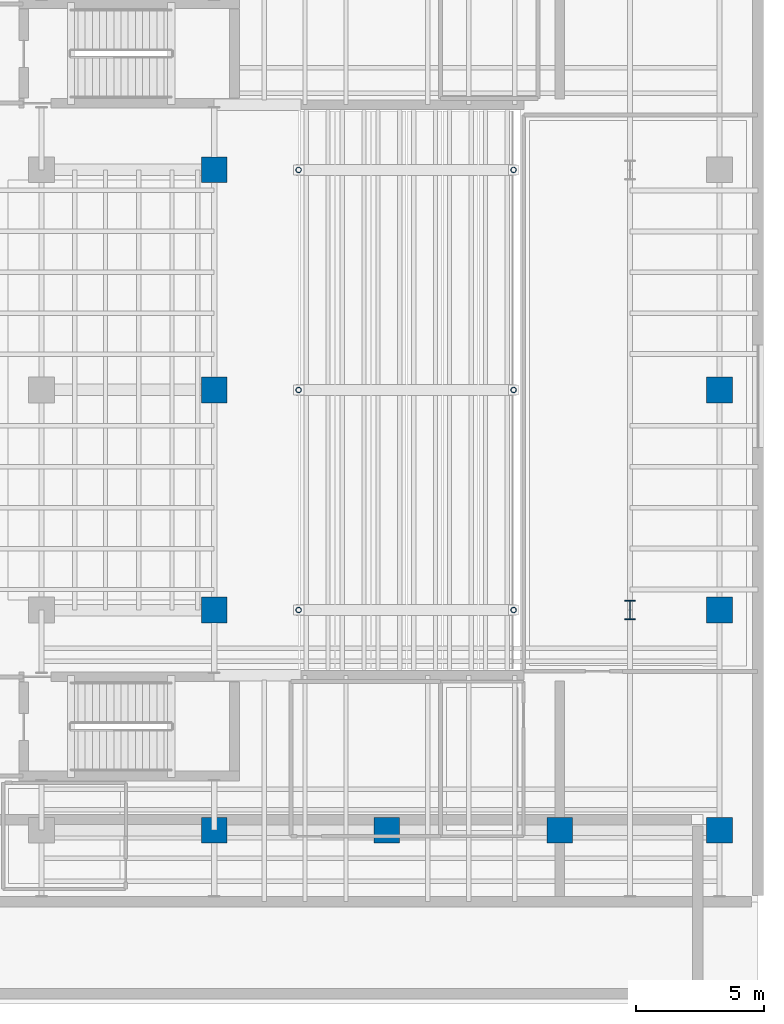
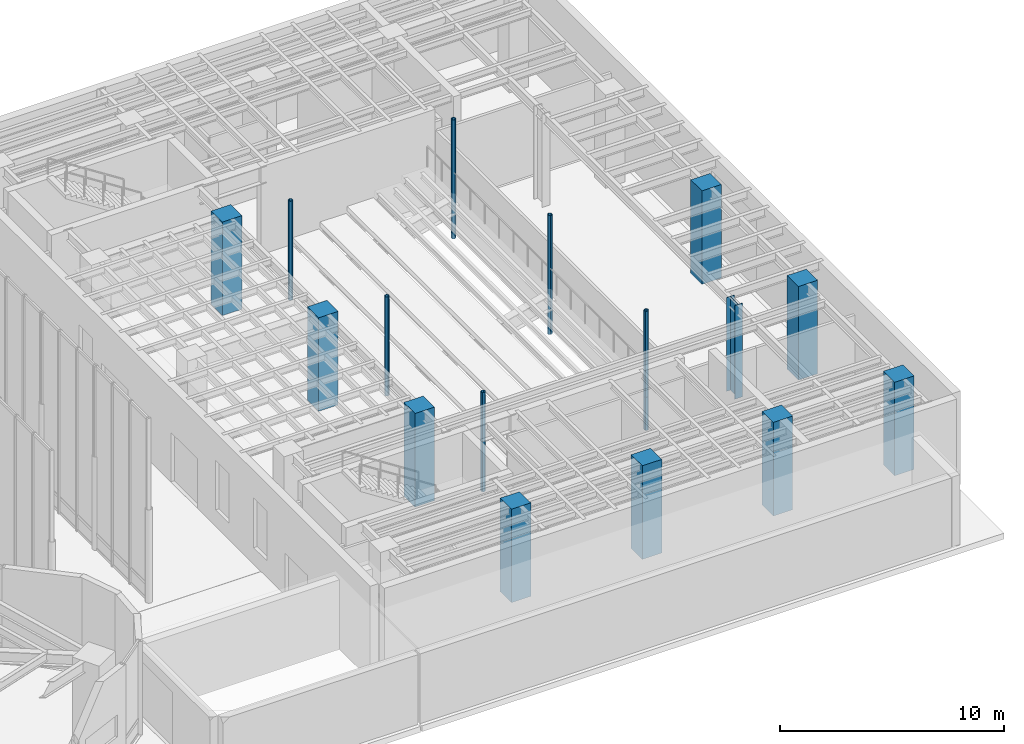
# One storey, part 5 of 28: 19 columns.
"""IFC4 building model written with IfcOpenShell, lengths in metres."""

from ifc_helpers import new_model, si_unit, direction, frame, origin, origin_2d, place, context, subcontext, project, spatial, rectangle, hollow_circle, i_section, extrude, material, material_profile, profile_set, type_object, element, save


model = new_model("IFC4")

# Units and contexts
model_context = context("Model", 3, precision=1e-05, world=origin(), true_north=direction((0.0, 1.0)))
body_context = subcontext(model_context, "Body", "Model", "MODEL_VIEW")
ifc_project = project(units=[si_unit("LENGTHUNIT", "METRE"), si_unit("AREAUNIT", "SQUARE_METRE"), si_unit("VOLUMEUNIT", "CUBIC_METRE"), si_unit("PLANEANGLEUNIT", "RADIAN"), si_unit("MASSUNIT", "GRAM", prefix="KILO")], contexts=[model_context])

# Site, building, storey
site_placement = place(None, origin())
site = spatial("IfcSite", under=ifc_project, at=site_placement, CompositionType="ELEMENT")
building_placement = place(site_placement, origin())
building = spatial("IfcBuilding", under=site, at=building_placement, Name="Korentha Bioscience Tower", CompositionType="ELEMENT")
storey_placement = place(building_placement, origin())
storey = spatial("IfcBuildingStorey", under=building, at=storey_placement, Name="L00", CompositionType="ELEMENT", Elevation=0.0)

# Columns
ifc_material_1 = material(Name="Steel S355", Category="steel")
ifc_material_profile_1 = material_profile(ifc_material_1, i_section(OverallWidth=0.39990234375, OverallDepth=0.75, WebThickness=0.01611328125, FlangeThickness=0.028076171875, at=origin_2d()), Name="Steel S355")
ifc_profile_set_1 = profile_set([ifc_material_profile_1], Name="Steel S355 (TC-02)")
column_type_1 = type_object("IfcColumnType", Name="Theatre Fly-Tower Column CVS 750x256", PredefinedType="COLUMN", material=ifc_profile_set_1)
column_1_placement = place(storey_placement, frame((89.5, 18.39990234375, 0.0), z_axis=(0.0, 0.0, 1.0), x_axis=(1.0, 0.0, 0.0)))
element("IfcColumn", 1, at=column_1_placement, inside=storey, type_object=column_type_1, Name="L00 Fly-Tower Steel Column S", PredefinedType="COLUMN", context=body_context, shape_type="SweptSolid", body=[
    extrude(i_section(OverallWidth=0.39990234375, OverallDepth=0.75, WebThickness=0.01611328125, FlangeThickness=0.028076171875, at=origin_2d()), origin(), (0.0, 0.0, 1.0), 5.10009765625),
])
ifc_material_2 = material(Name="Concrete C50", Category="concrete")
ifc_material_profile_2 = material_profile(ifc_material_2, rectangle(XDim=1.0, YDim=1.0, at=origin_2d()), Name="Concrete C50")
ifc_profile_set_2 = profile_set([ifc_material_profile_2], Name="Concrete C50 (TC-I01)")
column_type_2 = type_object("IfcColumnType", Name="Theatre Interior Column RC 1000x1000", PredefinedType="COLUMN", material=ifc_profile_set_2)
for number, where, z_axis, x_axis, name in (
    (2, (73.25, 18.39990234375, 0.0), (0.0, 0.0, 1.0), (1.0, 0.0, 0.0), "L00 Theatre Column 2-2"),
    (3, (73.25, 27.0, 0.0), (0.0, 0.0, 1.0), (1.0, 0.0, 0.0), "L00 Theatre Column 2-3"),
    (4, (73.25, 35.60009765625, 0.0), (0.0, 0.0, 1.0), (1.0, 0.0, 0.0), "L00 Theatre Column 2-4"),
):
    element("IfcColumn", number, at=place(storey_placement, frame(where, z_axis=z_axis, x_axis=x_axis)), inside=storey, type_object=column_type_2, Name=name, PredefinedType="COLUMN", context=body_context, shape_type="SweptSolid", body=[
        extrude(rectangle(XDim=1.0, YDim=1.0, at=origin_2d()), origin(), (0.0, 0.0, 1.0), 5.10009765625),
    ])
ifc_material_profile_3 = material_profile(ifc_material_2, rectangle(XDim=1.0, YDim=1.0, at=origin_2d()), Name="Concrete C50")
ifc_profile_set_3 = profile_set([ifc_material_profile_3], Name="Concrete C50 (TC-01)")
column_type_3 = type_object("IfcColumnType", Name="Theatre Primary Column RC 1000x1000", PredefinedType="COLUMN", material=ifc_profile_set_3)
for number, where, z_axis, x_axis, name in (
    (5, (73.25, 9.800048828125, 0.0), (0.0, 0.0, 1.0), (1.0, 0.0, 0.0), "L00 Theatre Column 2-1"),
    (6, (80.0, 9.800048828125, 0.0), (0.0, 0.0, 1.0), (1.0, 0.0, 0.0), "L00 Theatre Column 3-1"),
    (7, (86.75, 9.800048828125, 0.0), (0.0, 0.0, 1.0), (1.0, 0.0, 0.0), "L00 Theatre Column 4-1"),
    (8, (93.0, 9.800048828125, 0.0), (0.0, 0.0, 1.0), (1.0, 0.0, 0.0), "L00 Theatre Column 5-1"),
    (9, (93.0, 18.39990234375, 0.0), (0.0, 0.0, 1.0), (1.0, 0.0, 0.0), "L00 Theatre Column 5-2"),
    (10, (93.0, 27.0, 0.0), (0.0, 0.0, 1.0), (1.0, 0.0, 0.0), "L00 Theatre Column 5-3"),
):
    element("IfcColumn", number, at=place(storey_placement, frame(where, z_axis=z_axis, x_axis=x_axis)), inside=storey, type_object=column_type_3, Name=name, PredefinedType="COLUMN", context=body_context, shape_type="SweptSolid", body=[
        extrude(rectangle(XDim=1.0, YDim=1.0, at=origin_2d()), origin(), (0.0, 0.0, 1.0), 5.10009765625),
    ])
ifc_material_profile_4 = material_profile(ifc_material_1, hollow_circle(Radius=0.109619140625, WallThickness=0.012451171875, at=origin_2d()), Name="Steel S355")
ifc_profile_set_4 = profile_set([ifc_material_profile_4], Name="Steel S355 (TC-P219)")
column_type_4 = type_object("IfcColumnType", Name="Theatre Tier Support Post CHS 219.1x12.5", PredefinedType="COLUMN", material=ifc_profile_set_4)
for number, where, z_axis, x_axis, name in (
    (11, (84.949951171875, 18.39990234375, -0.320068359375), (0.0, 0.0, 1.0), (1.0, 0.0, 0.0), "L00 Auditorium Raker Support Post E-18"),
    (12, (84.949951171875, 27.0, -0.320068359375), (0.0, 0.0, 1.0), (1.0, 0.0, 0.0), "L00 Auditorium Raker Support Post E-27"),
    (13, (84.949951171875, 35.60009765625, -0.320068359375), (0.0, 0.0, 1.0), (1.0, 0.0, 0.0), "L00 Auditorium Raker Support Post E-35"),
):
    element("IfcColumn", number, at=place(storey_placement, frame(where, z_axis=z_axis, x_axis=x_axis)), inside=storey, type_object=column_type_4, Name=name, PredefinedType="COLUMN", context=body_context, shape_type="SweptSolid", body=[
        extrude(hollow_circle(Radius=0.109619140625, WallThickness=0.012451171875, at=origin_2d()), origin(), (0.0, 0.0, 1.0), 1.80712890625),
    ])
column_2_placement = place(storey_placement, frame((84.949951171875, 18.39990234375, 1.487060546875), z_axis=(0.0, 0.0, 1.0), x_axis=(1.0, 0.0, 0.0)))
element("IfcColumn", 14, at=column_2_placement, inside=storey, type_object=column_type_4, Name="L01 Auditorium Raker Support Post E-18", PredefinedType="COLUMN", context=body_context, shape_type="SweptSolid", body=[
    extrude(hollow_circle(Radius=0.109619140625, WallThickness=0.012451171875, at=origin_2d()), origin(), (0.0, 0.0, 1.0), 4.679931640625),
])
column_3_placement = place(storey_placement, frame((76.550048828125, 18.39990234375, -0.72509765625), z_axis=(0.0, 0.0, 1.0), x_axis=(1.0, 0.0, 0.0)))
element("IfcColumn", 15, at=column_3_placement, inside=storey, type_object=column_type_4, Name="L01 Auditorium Raker Support Post W-18", PredefinedType="COLUMN", context=body_context, shape_type="SweptSolid", body=[
    extrude(hollow_circle(Radius=0.109619140625, WallThickness=0.012451171875, at=origin_2d()), origin(), (0.0, 0.0, 1.0), 5.400146484375),
])
column_4_placement = place(storey_placement, frame((84.949951171875, 27.0, 1.487060546875), z_axis=(0.0, 0.0, 1.0), x_axis=(1.0, 0.0, 0.0)))
element("IfcColumn", 16, at=column_4_placement, inside=storey, type_object=column_type_4, Name="L01 Auditorium Raker Support Post E-27", PredefinedType="COLUMN", context=body_context, shape_type="SweptSolid", body=[
    extrude(hollow_circle(Radius=0.109619140625, WallThickness=0.012451171875, at=origin_2d()), origin(), (0.0, 0.0, 1.0), 4.679931640625),
])
column_5_placement = place(storey_placement, frame((76.550048828125, 27.0, -0.72509765625), z_axis=(0.0, 0.0, 1.0), x_axis=(1.0, 0.0, 0.0)))
element("IfcColumn", 17, at=column_5_placement, inside=storey, type_object=column_type_4, Name="L01 Auditorium Raker Support Post W-27", PredefinedType="COLUMN", context=body_context, shape_type="SweptSolid", body=[
    extrude(hollow_circle(Radius=0.109619140625, WallThickness=0.012451171875, at=origin_2d()), origin(), (0.0, 0.0, 1.0), 5.400146484375),
])
column_6_placement = place(storey_placement, frame((84.949951171875, 35.60009765625, 1.487060546875), z_axis=(0.0, 0.0, 1.0), x_axis=(1.0, 0.0, 0.0)))
element("IfcColumn", 18, at=column_6_placement, inside=storey, type_object=column_type_4, Name="L01 Auditorium Raker Support Post E-35", PredefinedType="COLUMN", context=body_context, shape_type="SweptSolid", body=[
    extrude(hollow_circle(Radius=0.109619140625, WallThickness=0.012451171875, at=origin_2d()), origin(), (0.0, 0.0, 1.0), 4.679931640625),
])
column_7_placement = place(storey_placement, frame((76.550048828125, 35.60009765625, -0.72509765625), z_axis=(0.0, 0.0, 1.0), x_axis=(1.0, 0.0, 0.0)))
element("IfcColumn", 19, at=column_7_placement, inside=storey, type_object=column_type_4, Name="L01 Auditorium Raker Support Post W-35", PredefinedType="COLUMN", context=body_context, shape_type="SweptSolid", body=[
    extrude(hollow_circle(Radius=0.109619140625, WallThickness=0.012451171875, at=origin_2d()), origin(), (0.0, 0.0, 1.0), 5.400146484375),
])

save(model, "model.ifc")
